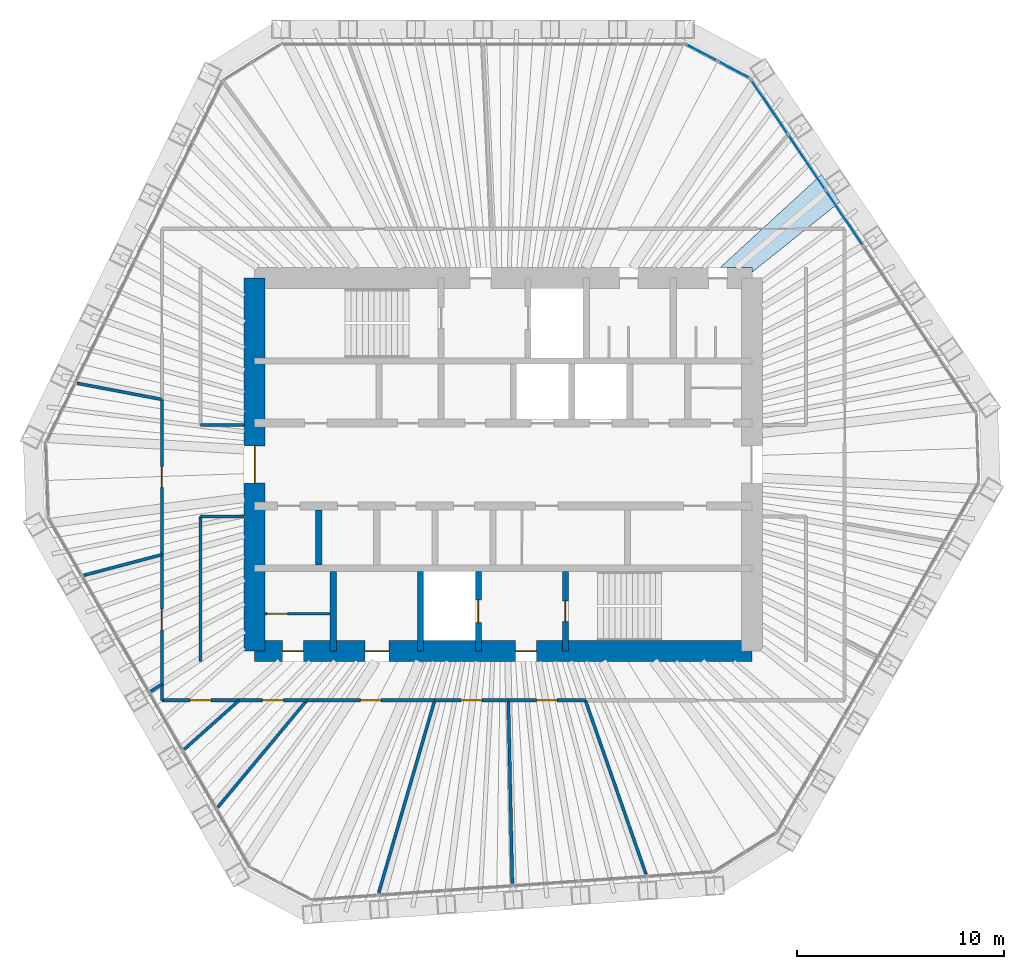
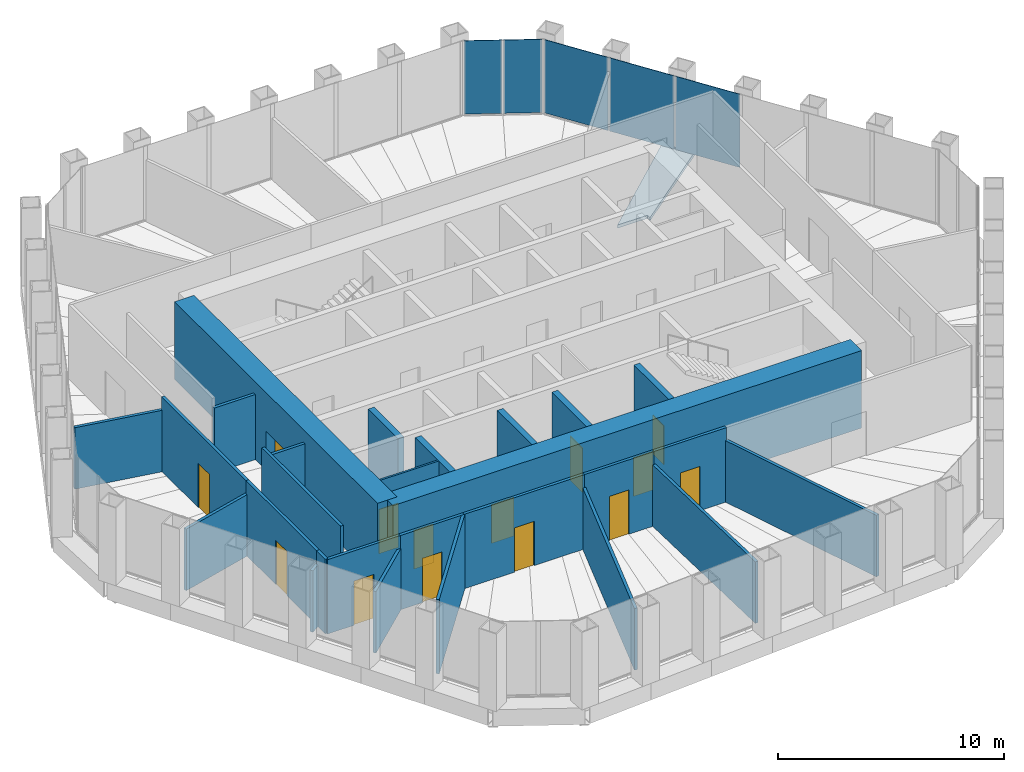
# One storey, part 11 of 14: 27 walls, 14 doors, 5 plates, 1 slab, 14 openings, 2 elements without a shape of their own.
"""IFC4 building model written with IfcOpenShell, lengths in metres."""

from ifc_helpers import new_model, si_unit, direction, frame, frame_2d, origin, origin_2d, place, context, subcontext, project, spatial, polyline, rectangle, outline, extrude, material, layer, layer_set, type_object, element, fill, aggregate, save


model = new_model("IFC4")

# Units and contexts
model_context = context("Model", 3, precision=1e-05, world=origin(), true_north=direction((0.0, 1.0)))
body_context = subcontext(model_context, "Body", "Model", "MODEL_VIEW")
ifc_project = project(units=[si_unit("LENGTHUNIT", "METRE"), si_unit("AREAUNIT", "SQUARE_METRE"), si_unit("VOLUMEUNIT", "CUBIC_METRE"), si_unit("PLANEANGLEUNIT", "RADIAN"), si_unit("MASSUNIT", "GRAM", prefix="KILO")], contexts=[model_context])

# Site, building, storey
site_placement = place(None, origin())
site = spatial("IfcSite", under=ifc_project, at=site_placement, CompositionType="ELEMENT")
building_placement = place(site_placement, origin())
building = spatial("IfcBuilding", under=site, at=building_placement, Name="Qingtian Harvest Tower", CompositionType="ELEMENT")
storey_placement = place(building_placement, frame((0.0, 0.0, 274.60009765625)))
storey = spatial("IfcBuildingStorey", under=building, at=storey_placement, Name="L60", CompositionType="ELEMENT", Elevation=274.60009765625)

# Slab
ifc_material_1 = material(Name="Concrete fc' 35 MPa", Category="concrete")
ifc_layer_1 = layer(ifc_material_1, 0.169921875)
ifc_layer_set_1 = layer_set([ifc_layer_1], Name="Composite floor slab FS17 170")
slab_type = type_object("IfcSlabType", Name="Composite floor slab FS17 170", PredefinedType="FLOOR", material=ifc_layer_set_1)
slab_placement = place(storey_placement, frame((0.0, 0.0, -0.170166015625)))
element("IfcSlab", 1, at=slab_placement, inside=storey, type_object=slab_type, Name="Floor slab L60 panel D48", PredefinedType="FLOOR", context=body_context, shape_type="SweptSolid", body=[
    extrude(outline(polyline([(12.0, 9.5), (10.4599609375, 9.5), (15.35498046875, 13.99365234375), (16.24609375, 12.672607421875), (12.0, 9.2734375), (12.0, 9.5)])), origin(), (0.0, 0.0, 1.0), 0.170166015625),
])

# Curtain wall, plates
ifc_material_2 = material(Name="Bronze-anodised aluminium curtain wall", Category="aluminium")
curtain_wall_type = type_object("IfcCurtainWallType", Name="Curtain wall CW5 upper office", PredefinedType="USERDEFINED", material=ifc_material_2)
curtain_wall_1_placement = place(storey_placement, origin())
curtain_wall_1 = element("IfcCurtainWall", 2, at=curtain_wall_1_placement, inside=storey, type_object=curtain_wall_type, Name="Curtain wall CW5 L60 NC", ObjectType="RECESSED CURTAIN WALL", PredefinedType="USERDEFINED")
ifc_material_3 = material(Name="Bronze-tinted laminated insulating glass", Category="glass")
ifc_layer_2 = layer(ifc_material_3, 0.030029296875)
ifc_layer_set_2 = layer_set([ifc_layer_2], Name="Glazed panel CWP tinted IGU")
plate_type = type_object("IfcPlateType", Name="Glazed panel CWP tinted IGU", PredefinedType="CURTAIN_PANEL", material=ifc_layer_set_2)
plate_1_placement = place(storey_placement, frame((9.57080078125, 19.8720703125, 0.06494140625), z_axis=(0.0, 0.0, 1.0), x_axis=(0.882947592859, -0.469471562786, 0.0)))
plate_1 = element("IfcPlate", 3, at=plate_1_placement, type_object=plate_type, Name="CW5 panel 1.1", PredefinedType="CURTAIN_PANEL", context=body_context, shape_type="SweptSolid", body=[
    extrude(rectangle(XDim=1.69287109375, YDim=0.030029296875, at=origin_2d()), origin(), (0.0, 0.0, 1.0), 3.965087890625),
])
plate_2_placement = place(storey_placement, frame((11.122802734375, 19.046875, 0.06494140625), z_axis=(0.0, 0.0, 1.0), x_axis=(0.882947592859, -0.469471562786, 0.0)))
plate_2 = element("IfcPlate", 4, at=plate_2_placement, type_object=plate_type, Name="CW5 panel 2.1", PredefinedType="CURTAIN_PANEL", context=body_context, shape_type="SweptSolid", body=[
    extrude(rectangle(XDim=1.69287109375, YDim=0.030029296875, at=origin_2d()), origin(), (0.0, 0.0, 1.0), 3.965087890625),
])
aggregate(curtain_wall_1, [plate_1, plate_2])

curtain_wall_2_placement = place(storey_placement, origin())
curtain_wall_2 = element("IfcCurtainWall", 5, at=curtain_wall_2_placement, inside=storey, type_object=curtain_wall_type, Name="Curtain wall CW5 L60 NE0-5", ObjectType="RECESSED CURTAIN WALL", PredefinedType="USERDEFINED")
plate_3_placement = place(storey_placement, frame((12.844970703125, 17.259033203125, 0.06494140625), z_axis=(0.0, 0.0, 1.0), x_axis=(0.559192903471, -0.829037572555, 0.0)))
plate_3 = element("IfcPlate", 6, at=plate_3_placement, type_object=plate_type, Name="CW5 panel 1.1", PredefinedType="CURTAIN_PANEL", context=body_context, shape_type="SweptSolid", body=[
    extrude(rectangle(XDim=3.150634765625, YDim=0.030029296875, at=origin_2d()), origin(), (0.0, 0.0, 1.0), 3.965087890625),
])
plate_4_placement = place(storey_placement, frame((14.652099609375, 14.579833984375, 0.06494140625), z_axis=(0.0, 0.0, 1.0), x_axis=(0.559192903471, -0.829037572555, 0.0)))
plate_4 = element("IfcPlate", 7, at=plate_4_placement, type_object=plate_type, Name="CW5 panel 2.1", PredefinedType="CURTAIN_PANEL", context=body_context, shape_type="SweptSolid", body=[
    extrude(rectangle(XDim=3.18310546875, YDim=0.030029296875, at=origin_2d()), origin(), (0.0, 0.0, 1.0), 3.965087890625),
])
plate_5_placement = place(storey_placement, frame((16.46826171875, 11.886962890625, 0.06494140625), z_axis=(0.0, 0.0, 1.0), x_axis=(0.559192903471, -0.829037572555, 0.0)))
plate_5 = element("IfcPlate", 8, at=plate_5_placement, type_object=plate_type, Name="CW5 panel 3.1", PredefinedType="CURTAIN_PANEL", context=body_context, shape_type="SweptSolid", body=[
    extrude(rectangle(XDim=3.18310546875, YDim=0.030029296875, at=origin_2d()), origin(), (0.0, 0.0, 1.0), 3.965087890625),
])
aggregate(curtain_wall_2, [plate_3, plate_4, plate_5])

# Walls
ifc_material_4 = material(Name="Precast concrete shaft panel", Category="concrete")
ifc_layer_3 = layer(ifc_material_4, 0.300048828125)
ifc_layer_set_3 = layer_set([ifc_layer_3], Name="Core shaft partition SW1 300")
wall_type_1 = type_object("IfcWallType", Name="Core shaft partition SW1 300", PredefinedType="PARTITIONING", material=ifc_layer_set_3)
wall_1_placement = place(storey_placement, frame((-8.89990234375, -4.85009765625, 0.0), z_axis=(0.0, 0.0, 1.0), x_axis=(0.0, 1.0, 0.0)))
element("IfcWall", 9, at=wall_1_placement, inside=storey, type_object=wall_type_1, Name="Core shaft partition XB1 L60", PredefinedType="PARTITIONING", context=body_context, shape_type="SweptSolid", body=[
    extrude(rectangle(XDim=2.650146484375, YDim=0.300048828125, at=frame_2d((1.3251953125, 0.0))), origin(), (0.0, 0.0, 1.0), 3.97998046875),
])
for number, where, z_axis, x_axis, name in (
    (10, (-8.199951171875, -9.0, 0.0), (0.0, 0.0, 1.0), (0.0, 1.0, 0.0), "Core shaft partition XS1 L60"),
    (11, (-4.0, -9.0, 0.0), (0.0, 0.0, 1.0), (0.0, 1.0, 0.0), "Core shaft partition XS2 L60"),
):
    element("IfcWall", number, at=place(storey_placement, frame(where, z_axis=z_axis, x_axis=x_axis)), inside=storey, type_object=wall_type_1, Name=name, PredefinedType="PARTITIONING", context=body_context, shape_type="SweptSolid", body=[
        extrude(rectangle(XDim=3.85009765625, YDim=0.300048828125, at=frame_2d((1.925048828125, 0.0))), origin(), (0.0, 0.0, 1.0), 3.97998046875),
    ])

# Wall, opening, door
wall_2_placement = place(storey_placement, frame((-1.199951171875, -9.0, 0.0), z_axis=(0.0, 0.0, 1.0), x_axis=(0.0, 1.0, 0.0)))
wall_2 = element("IfcWall", 12, at=wall_2_placement, inside=storey, type_object=wall_type_1, Name="Core shaft partition XS3 L60", PredefinedType="PARTITIONING", context=body_context, shape_type="SweptSolid", body=[
    extrude(rectangle(XDim=3.85009765625, YDim=0.300048828125, at=frame_2d((1.925048828125, 0.0))), origin(), (0.0, 0.0, 1.0), 3.97998046875),
])
opening_1_placement = place(wall_2_placement, frame((1.375, 0.0, 0.0)))
opening_1 = element("IfcOpeningElement", 13, at=opening_1_placement, cuts=wall_2, Name="Opening LD1", PredefinedType="OPENING", context=body_context, shape_type="SweptSolid", body=[
    extrude(rectangle(XDim=1.10009765625, YDim=2.39990234375, at=frame_2d((0.550048828125, 1.199951171875))), frame((0.0, 0.159912109375, 0.0), z_axis=(0.0, -1.0, 0.0), x_axis=(1.0, 0.0, 0.0)), (0.0, 0.0, 1.0), 0.320068359375),
])
ifc_material_5 = material(Name="Stainless steel lift landing door", Category="steel")
door_type_1 = type_object("IfcDoorType", Name="Lift landing door LD1 1 HR", OperationType="DOUBLE_DOOR_SLIDING", PredefinedType="DOOR", material=ifc_material_5)
door_1_placement = place(opening_1_placement, origin())
door_1 = element("IfcDoor", 14, at=door_1_placement, inside=storey, type_object=door_type_1, Name="FL2 landing door L60", OperationType="DOUBLE_DOOR_SLIDING", OverallHeight=2.39990234375, OverallWidth=1.10009765625, PredefinedType="DOOR", context=body_context, shape_type="SweptSolid", body=[
    extrude(rectangle(XDim=1.10009765625, YDim=2.39990234375, at=frame_2d((0.550048828125, 1.199951171875))), frame((0.0, 0.02490234375, 0.0), z_axis=(0.0, -1.0, 0.0), x_axis=(1.0, 0.0, 0.0)), (0.0, 0.0, 1.0), 0.050048828125),
])
fill(opening_1, door_1)

wall_3_placement = place(storey_placement, frame((3.0, -9.0, 0.0), z_axis=(0.0, 0.0, 1.0), x_axis=(0.0, 1.0, 0.0)))
wall_3 = element("IfcWall", 15, at=wall_3_placement, inside=storey, type_object=wall_type_1, Name="Core shaft partition XS4 L60", PredefinedType="PARTITIONING", context=body_context, shape_type="SweptSolid", body=[
    extrude(rectangle(XDim=3.85009765625, YDim=0.300048828125, at=frame_2d((1.925048828125, 0.0))), origin(), (0.0, 0.0, 1.0), 3.97998046875),
])
opening_2_placement = place(wall_3_placement, frame((1.425048828125, 0.0, 0.0)))
opening_2 = element("IfcOpeningElement", 16, at=opening_2_placement, cuts=wall_3, Name="Opening FD1", PredefinedType="OPENING", context=body_context, shape_type="SweptSolid", body=[
    extrude(rectangle(XDim=1.0, YDim=2.10009765625, at=frame_2d((0.5, 1.050048828125))), frame((0.0, 0.159912109375, 0.0), z_axis=(0.0, -1.0, 0.0), x_axis=(1.0, 0.0, 0.0)), (0.0, 0.0, 1.0), 0.320068359375),
])
ifc_material_6 = material(Name="Steel-faced door leaf", Category="steel")
door_type_2 = type_object("IfcDoorType", Name="Fire door FD1 single 1 HR", OperationType="SINGLE_SWING_LEFT", PredefinedType="DOOR", material=ifc_material_6)
door_2_placement = place(opening_2_placement, origin())
door_2 = element("IfcDoor", 17, at=door_2_placement, inside=storey, type_object=door_type_2, Name="S2 door L60", OperationType="SINGLE_SWING_RIGHT", OverallHeight=2.10009765625, OverallWidth=1.0, PredefinedType="DOOR", context=body_context, shape_type="SweptSolid", body=[
    extrude(rectangle(XDim=1.0, YDim=2.10009765625, at=frame_2d((0.5, 1.050048828125))), frame((0.0, 0.02490234375, 0.0), z_axis=(0.0, -1.0, 0.0), x_axis=(1.0, 0.0, 0.0)), (0.0, 0.0, 1.0), 0.050048828125),
])
fill(opening_2, door_2)

# Wall, openings, doors
ifc_material_7 = material(Name="Concrete fc' 70 MPa", Category="concrete")
ifc_layer_4 = layer(ifc_material_7, 1.0)
ifc_layer_set_4 = layer_set([ifc_layer_4], Name="Core wall RC3 1000")
wall_type_2 = type_object("IfcWallType", Name="Core wall RC3 1000", PredefinedType="SHEAR", material=ifc_layer_set_4)
wall_4_placement = place(storey_placement, frame((-12.0, -9.0, 0.0), z_axis=(0.0, 0.0, 1.0), x_axis=(1.0, 0.0, 0.0)))
wall_4 = element("IfcWall", 18, at=wall_4_placement, inside=storey, type_object=wall_type_2, Name="Core wall CS L60", PredefinedType="SHEAR", context=body_context, shape_type="SweptSolid", body=[
    extrude(rectangle(XDim=24.0, YDim=1.0, at=frame_2d((12.0, 0.0))), origin(), (0.0, 0.0, 1.0), 4.199951171875),
])
opening_3_placement = place(wall_4_placement, frame((1.35009765625, 0.0, 0.0)))
opening_3 = element("IfcOpeningElement", 19, at=opening_3_placement, cuts=wall_4, Name="Opening FD1", PredefinedType="OPENING", context=body_context, shape_type="SweptSolid", body=[
    extrude(rectangle(XDim=1.0, YDim=2.10009765625, at=frame_2d((0.5, 1.050048828125))), frame((0.0, 0.510009765625, 0.0), z_axis=(0.0, -1.0, 0.0), x_axis=(1.0, 0.0, 0.0)), (0.0, 0.0, 1.0), 1.02001953125),
])
opening_4_placement = place(wall_4_placement, frame((5.324951171875, 0.0, 0.0)))
opening_4 = element("IfcOpeningElement", 20, at=opening_4_placement, cuts=wall_4, Name="Opening AD1", PredefinedType="OPENING", context=body_context, shape_type="SweptSolid", body=[
    extrude(rectangle(XDim=1.14990234375, YDim=2.10009765625, at=frame_2d((0.574951171875, 1.050048828125))), frame((0.0, 0.510009765625, 0.0), z_axis=(0.0, -1.0, 0.0), x_axis=(1.0, 0.0, 0.0)), (0.0, 0.0, 1.0), 1.02001953125),
])
opening_5_placement = place(wall_4_placement, frame((12.60009765625, 0.0, 0.0)))
opening_5 = element("IfcOpeningElement", 21, at=opening_5_placement, cuts=wall_4, Name="Opening FD1", PredefinedType="OPENING", context=body_context, shape_type="SweptSolid", body=[
    extrude(rectangle(XDim=1.0, YDim=2.10009765625, at=frame_2d((0.5, 1.050048828125))), frame((0.0, 0.510009765625, 0.0), z_axis=(0.0, -1.0, 0.0), x_axis=(1.0, 0.0, 0.0)), (0.0, 0.0, 1.0), 1.02001953125),
])
ifc_material_8 = material(Name="Laminated timber door leaf", Category="wood")
door_type_3 = type_object("IfcDoorType", Name="Accessible WC door AD1 single", OperationType="SINGLE_SWING_LEFT", PredefinedType="DOOR", material=ifc_material_8)
door_3_placement = place(opening_4_placement, origin())
door_3 = element("IfcDoor", 22, at=door_3_placement, inside=storey, type_object=door_type_3, Name="AWC door L60", OperationType="SINGLE_SWING_LEFT", OverallHeight=2.10009765625, OverallWidth=1.14990234375, PredefinedType="DOOR", context=body_context, shape_type="SweptSolid", body=[
    extrude(rectangle(XDim=1.14990234375, YDim=2.10009765625, at=frame_2d((0.574951171875, 1.050048828125))), frame((0.0, 0.02490234375, 0.0), z_axis=(0.0, -1.0, 0.0), x_axis=(1.0, 0.0, 0.0)), (0.0, 0.0, 1.0), 0.050048828125),
])
fill(opening_4, door_3)
door_4_placement = place(opening_3_placement, origin())
door_4 = element("IfcDoor", 23, at=door_4_placement, inside=storey, type_object=door_type_2, Name="CLN door L60", OperationType="SINGLE_SWING_RIGHT", OverallHeight=2.10009765625, OverallWidth=1.0, PredefinedType="DOOR", context=body_context, shape_type="SweptSolid", body=[
    extrude(rectangle(XDim=1.0, YDim=2.10009765625, at=frame_2d((0.5, 1.050048828125))), frame((0.0, 0.02490234375, 0.0), z_axis=(0.0, -1.0, 0.0), x_axis=(1.0, 0.0, 0.0)), (0.0, 0.0, 1.0), 0.050048828125),
])
fill(opening_3, door_4)
door_5_placement = place(opening_5_placement, origin())
door_5 = element("IfcDoor", 24, at=door_5_placement, inside=storey, type_object=door_type_2, Name="V2 door L60", OperationType="SINGLE_SWING_RIGHT", OverallHeight=2.10009765625, OverallWidth=1.0, PredefinedType="DOOR", context=body_context, shape_type="SweptSolid", body=[
    extrude(rectangle(XDim=1.0, YDim=2.10009765625, at=frame_2d((0.5, 1.050048828125))), frame((0.0, 0.02490234375, 0.0), z_axis=(0.0, -1.0, 0.0), x_axis=(1.0, 0.0, 0.0)), (0.0, 0.0, 1.0), 0.050048828125),
])
fill(opening_5, door_5)

# Wall, opening, door
wall_5_placement = place(storey_placement, frame((-12.0, -9.0, 0.0), z_axis=(0.0, 0.0, 1.0), x_axis=(0.0, 1.0, 0.0)))
wall_5 = element("IfcWall", 25, at=wall_5_placement, inside=storey, type_object=wall_type_2, Name="Core wall CW L60", PredefinedType="SHEAR", context=body_context, shape_type="SweptSolid", body=[
    extrude(rectangle(XDim=18.0, YDim=1.0, at=frame_2d((9.0, 0.0))), origin(), (0.0, 0.0, 1.0), 4.199951171875),
])
opening_6_placement = place(wall_5_placement, frame((8.10009765625, 0.0, 0.0)))
opening_6 = element("IfcOpeningElement", 26, at=opening_6_placement, cuts=wall_5, Name="Opening FD2", PredefinedType="OPENING", context=body_context, shape_type="SweptSolid", body=[
    extrude(rectangle(XDim=1.800048828125, YDim=2.10009765625, at=frame_2d((0.89990234375, 1.050048828125))), frame((0.0, 0.510009765625, 0.0), z_axis=(0.0, -1.0, 0.0), x_axis=(1.0, 0.0, 0.0)), (0.0, 0.0, 1.0), 1.02001953125),
])
ifc_material_9 = material(Name="Steel-faced door leaf", Category="steel")
door_type_4 = type_object("IfcDoorType", Name="Fire door FD2 double 1 HR", OperationType="DOUBLE_DOOR_DOUBLE_SWING", PredefinedType="DOOR", material=ifc_material_9)
door_6_placement = place(opening_6_placement, origin())
door_6 = element("IfcDoor", 27, at=door_6_placement, inside=storey, type_object=door_type_4, Name="LOBBY-W door L60", OperationType="DOUBLE_DOOR_DOUBLE_SWING", OverallHeight=2.10009765625, OverallWidth=1.800048828125, PredefinedType="DOOR", context=body_context, shape_type="SweptSolid", body=[
    extrude(rectangle(XDim=1.800048828125, YDim=2.10009765625, at=frame_2d((0.89990234375, 1.050048828125))), frame((0.0, 0.02490234375, 0.0), z_axis=(0.0, -1.0, 0.0), x_axis=(1.0, 0.0, 0.0)), (0.0, 0.0, 1.0), 0.050048828125),
])
fill(opening_6, door_6)

# Wall
ifc_material_10 = material(Name="Gypsum board on steel studs", Category="steel")
ifc_layer_5 = layer(ifc_material_10, 0.14990234375)
ifc_layer_set_5 = layer_set([ifc_layer_5], Name="Partition PT1 150")
wall_type_3 = type_object("IfcWallType", Name="Partition PT1 150", PredefinedType="PARTITIONING", material=ifc_layer_set_5)
wall_6_placement = place(storey_placement, frame((-13.779296875, -16.546142578125, 0.0), z_axis=(0.0, 0.0, 1.0), x_axis=(0.63993100432, 0.768432371592, 0.0)))
element("IfcWall", 28, at=wall_6_placement, inside=storey, type_object=wall_type_3, Name="Private office wall L60", PredefinedType="PARTITIONING", context=body_context, shape_type="SweptSolid", body=[
    extrude(rectangle(XDim=6.7294921875, YDim=0.14990234375, at=frame_2d((3.36474609375, 0.0))), origin(), (0.0, 0.0, 1.0), 4.02978515625),
])

# Wall, opening, door
wall_7_placement = place(storey_placement, frame((-9.472900390625, -11.375, 0.0), z_axis=(0.0, 0.0, 1.0), x_axis=(-1.0, 0.0, 0.0)))
wall_7 = element("IfcWall", 29, at=wall_7_placement, inside=storey, type_object=wall_type_3, Name="Private office wall L60", PredefinedType="PARTITIONING", context=body_context, shape_type="SweptSolid", body=[
    extrude(rectangle(XDim=3.26708984375, YDim=0.14990234375, at=frame_2d((1.633544921875, 0.0))), origin(), (0.0, 0.0, 1.0), 4.02978515625),
])
opening_7_placement = place(wall_7_placement, frame((1.133544921875, 0.0, 0.0)))
opening_7 = element("IfcOpeningElement", 30, at=opening_7_placement, cuts=wall_7, Name="Opening D2", PredefinedType="OPENING", context=body_context, shape_type="SweptSolid", body=[
    extrude(rectangle(XDim=1.0, YDim=2.39990234375, at=frame_2d((0.5, 1.199951171875))), frame((0.0, 0.0849609375, 0.0), z_axis=(0.0, -1.0, 0.0), x_axis=(1.0, 0.0, 0.0)), (0.0, 0.0, 1.0), 0.169921875),
])
ifc_material_11 = material(Name="Laminated timber door leaf", Category="wood")
door_type_5 = type_object("IfcDoorType", Name="Room door D2 single", OperationType="SINGLE_SWING_LEFT", PredefinedType="DOOR", material=ifc_material_11)
door_7_placement = place(opening_7_placement, origin())
door_7 = element("IfcDoor", 31, at=door_7_placement, inside=storey, type_object=door_type_5, Name="Private office door L60", OperationType="SINGLE_SWING_LEFT", OverallHeight=2.39990234375, OverallWidth=1.0, PredefinedType="DOOR", context=body_context, shape_type="SweptSolid", body=[
    extrude(rectangle(XDim=1.0, YDim=2.39990234375, at=frame_2d((0.5, 1.199951171875))), frame((0.0, 0.02490234375, 0.0), z_axis=(0.0, -1.0, 0.0), x_axis=(1.0, 0.0, 0.0)), (0.0, 0.0, 1.0), 0.050048828125),
])
fill(opening_7, door_7)

# Wall
wall_8_placement = place(storey_placement, frame((-15.392578125, -13.743408203125, 0.0), z_axis=(0.0, 0.0, 1.0), x_axis=(0.745934007174, 0.666019862273, 0.0)))
element("IfcWall", 32, at=wall_8_placement, inside=storey, type_object=wall_type_3, Name="Private office wall L60", PredefinedType="PARTITIONING", context=body_context, shape_type="SweptSolid", body=[
    extrude(rectangle(XDim=3.55615234375, YDim=0.14990234375, at=frame_2d((1.778076171875, 0.0))), origin(), (0.0, 0.0, 1.0), 3.329833984375),
])

# Wall, opening, door
wall_9_placement = place(storey_placement, frame((-12.739990234375, -11.375, 0.0), z_axis=(0.0, 0.0, 1.0), x_axis=(-1.0, 0.0, 0.0)))
wall_9 = element("IfcWall", 33, at=wall_9_placement, inside=storey, type_object=wall_type_3, Name="Private office wall L60", PredefinedType="PARTITIONING", context=body_context, shape_type="SweptSolid", body=[
    extrude(rectangle(XDim=3.735107421875, YDim=0.14990234375, at=frame_2d((1.86767578125, 0.0))), origin(), (0.0, 0.0, 1.0), 4.02978515625),
])
opening_8_placement = place(wall_9_placement, frame((1.367431640625, 0.0, 0.0)))
opening_8 = element("IfcOpeningElement", 34, at=opening_8_placement, cuts=wall_9, Name="Opening D2", PredefinedType="OPENING", context=body_context, shape_type="SweptSolid", body=[
    extrude(rectangle(XDim=1.0, YDim=2.39990234375, at=frame_2d((0.5, 1.199951171875))), frame((0.0, 0.0849609375, 0.0), z_axis=(0.0, -1.0, 0.0), x_axis=(1.0, 0.0, 0.0)), (0.0, 0.0, 1.0), 0.169921875),
])
door_8_placement = place(opening_8_placement, origin())
door_8 = element("IfcDoor", 35, at=door_8_placement, inside=storey, type_object=door_type_5, Name="Private office door L60", OperationType="SINGLE_SWING_RIGHT", OverallHeight=2.39990234375, OverallWidth=1.0, PredefinedType="DOOR", context=body_context, shape_type="SweptSolid", body=[
    extrude(rectangle(XDim=1.0, YDim=2.39990234375, at=frame_2d((0.5, 1.199951171875))), frame((0.0, 0.02490234375, 0.0), z_axis=(0.0, -1.0, 0.0), x_axis=(1.0, 0.0, 0.0)), (0.0, 0.0, 1.0), 0.050048828125),
])
fill(opening_8, door_8)

# Walls
wall_10_placement = place(storey_placement, frame((-16.47509765625, -11.375, 0.0), z_axis=(0.0, 0.0, 1.0), x_axis=(0.0, 1.0, 0.0)))
element("IfcWall", 36, at=wall_10_placement, inside=storey, type_object=wall_type_3, Name="Private office wall L60", PredefinedType="PARTITIONING", context=body_context, shape_type="SweptSolid", body=[
    extrude(rectangle(XDim=0.7744140625, YDim=0.14990234375, at=frame_2d((0.38720703125, 0.0))), origin(), (0.0, 0.0, 1.0), 4.02978515625),
])
wall_11_placement = place(storey_placement, frame((-17.007080078125, -10.943115234375, 0.0), z_axis=(0.0, 0.0, 1.0), x_axis=(0.840789611822, 0.541362012568, 0.0)))
element("IfcWall", 37, at=wall_11_placement, inside=storey, type_object=wall_type_3, Name="Focus room wall L60", PredefinedType="PARTITIONING", context=body_context, shape_type="SweptSolid", body=[
    extrude(rectangle(XDim=0.6328125, YDim=0.14990234375, at=frame_2d((0.31640625, 0.0))), origin(), (0.0, 0.0, 1.0), 3.329833984375),
])

# Wall, opening, door
wall_12_placement = place(storey_placement, frame((-16.47509765625, -10.6005859375, 0.0), z_axis=(0.0, 0.0, 1.0), x_axis=(0.0, 1.0, 0.0)))
wall_12 = element("IfcWall", 38, at=wall_12_placement, inside=storey, type_object=wall_type_3, Name="Focus room wall L60", PredefinedType="PARTITIONING", context=body_context, shape_type="SweptSolid", body=[
    extrude(rectangle(XDim=6.249755859375, YDim=0.14990234375, at=frame_2d((3.125, 0.0))), origin(), (0.0, 0.0, 1.0), 4.02978515625),
])
opening_9_placement = place(wall_12_placement, frame((2.624755859375, 0.0, 0.0)))
opening_9 = element("IfcOpeningElement", 39, at=opening_9_placement, cuts=wall_12, Name="Opening D2", PredefinedType="OPENING", context=body_context, shape_type="SweptSolid", body=[
    extrude(rectangle(XDim=1.0, YDim=2.39990234375, at=frame_2d((0.5, 1.199951171875))), frame((0.0, 0.0849609375, 0.0), z_axis=(0.0, -1.0, 0.0), x_axis=(1.0, 0.0, 0.0)), (0.0, 0.0, 1.0), 0.169921875),
])
door_9_placement = place(opening_9_placement, origin())
door_9 = element("IfcDoor", 40, at=door_9_placement, inside=storey, type_object=door_type_5, Name="Focus room door L60", OperationType="SINGLE_SWING_RIGHT", OverallHeight=2.39990234375, OverallWidth=1.0, PredefinedType="DOOR", context=body_context, shape_type="SweptSolid", body=[
    extrude(rectangle(XDim=1.0, YDim=2.39990234375, at=frame_2d((0.5, 1.199951171875))), frame((0.0, 0.02490234375, 0.0), z_axis=(0.0, -1.0, 0.0), x_axis=(1.0, 0.0, 0.0)), (0.0, 0.0, 1.0), 0.050048828125),
])
fill(opening_9, door_9)

# Wall
wall_13_placement = place(storey_placement, frame((-20.24267578125, -5.345947265625, 0.0), z_axis=(0.0, 0.0, 1.0), x_axis=(0.966843659694, 0.25536902261, 0.0)))
element("IfcWall", 41, at=wall_13_placement, inside=storey, type_object=wall_type_3, Name="Meeting room wall L60", PredefinedType="PARTITIONING", context=body_context, shape_type="SweptSolid", body=[
    extrude(rectangle(XDim=3.896728515625, YDim=0.14990234375, at=frame_2d((1.9482421875, 0.0))), origin(), (0.0, 0.0, 1.0), 3.329833984375),
])

# Wall, opening, door
wall_14_placement = place(storey_placement, frame((-16.47509765625, -4.350830078125, 0.0), z_axis=(0.0, 0.0, 1.0), x_axis=(0.0, 1.0, 0.0)))
wall_14 = element("IfcWall", 42, at=wall_14_placement, inside=storey, type_object=wall_type_3, Name="Meeting room wall L60", PredefinedType="PARTITIONING", context=body_context, shape_type="SweptSolid", body=[
    extrude(rectangle(XDim=7.49169921875, YDim=0.14990234375, at=frame_2d((3.745849609375, 0.0))), origin(), (0.0, 0.0, 1.0), 4.02978515625),
])
opening_10_placement = place(wall_14_placement, frame((3.245849609375, 0.0, 0.0)))
opening_10 = element("IfcOpeningElement", 43, at=opening_10_placement, cuts=wall_14, Name="Opening D2", PredefinedType="OPENING", context=body_context, shape_type="SweptSolid", body=[
    extrude(rectangle(XDim=1.0, YDim=2.39990234375, at=frame_2d((0.5, 1.199951171875))), frame((0.0, 0.0849609375, 0.0), z_axis=(0.0, -1.0, 0.0), x_axis=(1.0, 0.0, 0.0)), (0.0, 0.0, 1.0), 0.169921875),
])
door_10_placement = place(opening_10_placement, origin())
door_10 = element("IfcDoor", 44, at=door_10_placement, inside=storey, type_object=door_type_5, Name="Meeting room door L60", OperationType="SINGLE_SWING_RIGHT", OverallHeight=2.39990234375, OverallWidth=1.0, PredefinedType="DOOR", context=body_context, shape_type="SweptSolid", body=[
    extrude(rectangle(XDim=1.0, YDim=2.39990234375, at=frame_2d((0.5, 1.199951171875))), frame((0.0, 0.02490234375, 0.0), z_axis=(0.0, -1.0, 0.0), x_axis=(1.0, 0.0, 0.0)), (0.0, 0.0, 1.0), 0.050048828125),
])
fill(opening_10, door_10)

# Walls
wall_15_placement = place(storey_placement, frame((-20.566162109375, 3.9208984375, 0.0), z_axis=(0.0, 0.0, 1.0), x_axis=(0.982304172816, -0.187292584123, 0.0)))
element("IfcWall", 45, at=wall_15_placement, inside=storey, type_object=wall_type_3, Name="Workplace zone wall L60", PredefinedType="PARTITIONING", context=body_context, shape_type="SweptSolid", body=[
    extrude(rectangle(XDim=4.164794921875, YDim=0.14990234375, at=frame_2d((2.08251953125, 0.0))), origin(), (0.0, 0.0, 1.0), 3.329833984375),
])
wall_16_placement = place(storey_placement, frame((6.8876953125, -19.771240234375, 0.0), z_axis=(0.0, 0.0, 1.0), x_axis=(-0.328983865825, 0.944335542075, 0.0)))
element("IfcWall", 46, at=wall_16_placement, inside=storey, type_object=wall_type_3, Name="Print room wall L60", PredefinedType="PARTITIONING", context=body_context, shape_type="SweptSolid", body=[
    extrude(rectangle(XDim=8.89111328125, YDim=0.14990234375, at=frame_2d((4.445556640625, 0.0))), origin(), (0.0, 0.0, 1.0), 3.329833984375),
])

# Wall, opening, door
wall_17_placement = place(storey_placement, frame((3.962646484375, -11.375, 0.0), z_axis=(0.0, 0.0, 1.0), x_axis=(-1.0, 0.0, 0.0)))
wall_17 = element("IfcWall", 47, at=wall_17_placement, inside=storey, type_object=wall_type_3, Name="Print room wall L60", PredefinedType="PARTITIONING", context=body_context, shape_type="SweptSolid", body=[
    extrude(rectangle(XDim=3.716064453125, YDim=0.14990234375, at=frame_2d((1.85791015625, 0.0))), origin(), (0.0, 0.0, 1.0), 4.02978515625),
])
opening_11_placement = place(wall_17_placement, frame((1.358154296875, 0.0, 0.0)))
opening_11 = element("IfcOpeningElement", 48, at=opening_11_placement, cuts=wall_17, Name="Opening D2", PredefinedType="OPENING", context=body_context, shape_type="SweptSolid", body=[
    extrude(rectangle(XDim=1.0, YDim=2.39990234375, at=frame_2d((0.5, 1.199951171875))), frame((0.0, 0.0849609375, 0.0), z_axis=(0.0, -1.0, 0.0), x_axis=(1.0, 0.0, 0.0)), (0.0, 0.0, 1.0), 0.169921875),
])
door_11_placement = place(opening_11_placement, origin())
door_11 = element("IfcDoor", 49, at=door_11_placement, inside=storey, type_object=door_type_5, Name="Print room door L60", OperationType="SINGLE_SWING_RIGHT", OverallHeight=2.39990234375, OverallWidth=1.0, PredefinedType="DOOR", context=body_context, shape_type="SweptSolid", body=[
    extrude(rectangle(XDim=1.0, YDim=2.39990234375, at=frame_2d((0.5, 1.199951171875))), frame((0.0, 0.02490234375, 0.0), z_axis=(0.0, -1.0, 0.0), x_axis=(1.0, 0.0, 0.0)), (0.0, 0.0, 1.0), 0.050048828125),
])
fill(opening_11, door_11)

# Wall
wall_18_placement = place(storey_placement, frame((0.43798828125, -20.21875, 0.0), z_axis=(0.0, 0.0, 1.0), x_axis=(-0.021638042243, 0.999765870156, 0.0)))
element("IfcWall", 50, at=wall_18_placement, inside=storey, type_object=wall_type_3, Name="Meeting room wall L60", PredefinedType="PARTITIONING", context=body_context, shape_type="SweptSolid", body=[
    extrude(rectangle(XDim=8.845703125, YDim=0.14990234375, at=frame_2d((4.4228515625, 0.0))), origin(), (0.0, 0.0, 1.0), 3.329833984375),
])

# Wall, opening, door
wall_19_placement = place(storey_placement, frame((0.24658203125, -11.375, 0.0), z_axis=(0.0, 0.0, 1.0), x_axis=(-1.0, 0.0, 0.0)))
wall_19 = element("IfcWall", 51, at=wall_19_placement, inside=storey, type_object=wall_type_3, Name="Meeting room wall L60", PredefinedType="PARTITIONING", context=body_context, shape_type="SweptSolid", body=[
    extrude(rectangle(XDim=3.55419921875, YDim=0.14990234375, at=frame_2d((1.777099609375, 0.0))), origin(), (0.0, 0.0, 1.0), 4.02978515625),
])
opening_12_placement = place(wall_19_placement, frame((1.277099609375, 0.0, 0.0)))
opening_12 = element("IfcOpeningElement", 52, at=opening_12_placement, cuts=wall_19, Name="Opening D2", PredefinedType="OPENING", context=body_context, shape_type="SweptSolid", body=[
    extrude(rectangle(XDim=1.0, YDim=2.39990234375, at=frame_2d((0.5, 1.199951171875))), frame((0.0, 0.0849609375, 0.0), z_axis=(0.0, -1.0, 0.0), x_axis=(1.0, 0.0, 0.0)), (0.0, 0.0, 1.0), 0.169921875),
])
door_12_placement = place(opening_12_placement, origin())
door_12 = element("IfcDoor", 53, at=door_12_placement, inside=storey, type_object=door_type_5, Name="Meeting room door L60", OperationType="SINGLE_SWING_RIGHT", OverallHeight=2.39990234375, OverallWidth=1.0, PredefinedType="DOOR", context=body_context, shape_type="SweptSolid", body=[
    extrude(rectangle(XDim=1.0, YDim=2.39990234375, at=frame_2d((0.5, 1.199951171875))), frame((0.0, 0.02490234375, 0.0), z_axis=(0.0, -1.0, 0.0), x_axis=(1.0, 0.0, 0.0)), (0.0, 0.0, 1.0), 0.050048828125),
])
fill(opening_12, door_12)

# Wall
wall_20_placement = place(storey_placement, frame((-6.011962890625, -20.67578125, 0.0), z_axis=(0.0, 0.0, 1.0), x_axis=(0.279202358069, 0.960232286089, 0.0)))
element("IfcWall", 54, at=wall_20_placement, inside=storey, type_object=wall_type_3, Name="Workplace zone wall L60", PredefinedType="PARTITIONING", context=body_context, shape_type="SweptSolid", body=[
    extrude(rectangle(XDim=9.68603515625, YDim=0.14990234375, at=frame_2d((4.843017578125, 0.0))), origin(), (0.0, 0.0, 1.0), 3.329833984375),
])

# Wall, opening, door
wall_21_placement = place(storey_placement, frame((-3.3076171875, -11.375, 0.0), z_axis=(0.0, 0.0, 1.0), x_axis=(-1.0, 0.0, 0.0)))
wall_21 = element("IfcWall", 55, at=wall_21_placement, inside=storey, type_object=wall_type_3, Name="Workplace zone wall L60", PredefinedType="PARTITIONING", context=body_context, shape_type="SweptSolid", body=[
    extrude(rectangle(XDim=6.165283203125, YDim=0.14990234375, at=frame_2d((3.08251953125, 0.0))), origin(), (0.0, 0.0, 1.0), 4.02978515625),
])
opening_13_placement = place(wall_21_placement, frame((2.582763671875, 0.0, 0.0)))
opening_13 = element("IfcOpeningElement", 56, at=opening_13_placement, cuts=wall_21, Name="Opening D2", PredefinedType="OPENING", context=body_context, shape_type="SweptSolid", body=[
    extrude(rectangle(XDim=1.0, YDim=2.39990234375, at=frame_2d((0.5, 1.199951171875))), frame((0.0, 0.0849609375, 0.0), z_axis=(0.0, -1.0, 0.0), x_axis=(1.0, 0.0, 0.0)), (0.0, 0.0, 1.0), 0.169921875),
])
door_13_placement = place(opening_13_placement, origin())
door_13 = element("IfcDoor", 57, at=door_13_placement, inside=storey, type_object=door_type_5, Name="Workplace zone door L60", OperationType="SINGLE_SWING_RIGHT", OverallHeight=2.39990234375, OverallWidth=1.0, PredefinedType="DOOR", context=body_context, shape_type="SweptSolid", body=[
    extrude(rectangle(XDim=1.0, YDim=2.39990234375, at=frame_2d((0.5, 1.199951171875))), frame((0.0, 0.02490234375, 0.0), z_axis=(0.0, -1.0, 0.0), x_axis=(1.0, 0.0, 0.0)), (0.0, 0.0, 1.0), 0.050048828125),
])
fill(opening_13, door_13)

# Walls
wall_22_placement = place(storey_placement, frame((-12.5, 1.89990234375, 0.0), z_axis=(0.0, 0.0, 1.0), x_axis=(-1.0, 0.0, 0.0)))
element("IfcWall", 58, at=wall_22_placement, inside=storey, type_object=wall_type_3, Name="Breakout space wall L60", PredefinedType="PARTITIONING", context=body_context, shape_type="SweptSolid", body=[
    extrude(rectangle(XDim=2.10009765625, YDim=0.14990234375, at=frame_2d((1.050048828125, 0.0))), origin(), (0.0, 0.0, 1.0), 3.52978515625),
])
wall_23_placement = place(storey_placement, frame((-14.60009765625, -9.5, 0.0), z_axis=(0.0, 0.0, 1.0), x_axis=(0.0, 1.0, 0.0)))
element("IfcWall", 59, at=wall_23_placement, inside=storey, type_object=wall_type_3, Name="Reading area wall L60", PredefinedType="PARTITIONING", context=body_context, shape_type="SweptSolid", body=[
    extrude(rectangle(XDim=7.0, YDim=0.14990234375, at=frame_2d((3.5, 0.0))), origin(), (0.0, 0.0, 1.0), 4.02978515625),
])
wall_24_placement = place(storey_placement, frame((-12.5, -2.5, 0.0), z_axis=(0.0, 0.0, 1.0), x_axis=(-1.0, 0.0, 0.0)))
element("IfcWall", 60, at=wall_24_placement, inside=storey, type_object=wall_type_3, Name="Reading area wall L60", PredefinedType="PARTITIONING", context=body_context, shape_type="SweptSolid", body=[
    extrude(rectangle(XDim=2.10009765625, YDim=0.14990234375, at=frame_2d((1.050048828125, 0.0))), origin(), (0.0, 0.0, 1.0), 3.52978515625),
])

# Wall, opening, door
ifc_material_12 = material(Name="Concrete block partition", Category="concrete")
ifc_layer_6 = layer(ifc_material_12, 0.10009765625)
ifc_layer_set_6 = layer_set([ifc_layer_6], Name="Store partition PT3 100")
wall_type_4 = type_object("IfcWallType", Name="Store partition PT3 100", PredefinedType="PARTITIONING", material=ifc_layer_set_6)
wall_25_placement = place(storey_placement, frame((-11.5, -7.199951171875, 0.0), z_axis=(0.0, 0.0, 1.0), x_axis=(1.0, 0.0, 0.0)))
wall_25 = element("IfcWall", 61, at=wall_25_placement, inside=storey, type_object=wall_type_4, Name="Waste store wall L60", PredefinedType="PARTITIONING", context=body_context, shape_type="SweptSolid", body=[
    extrude(rectangle(XDim=3.14990234375, YDim=0.10009765625, at=frame_2d((1.574951171875, 0.0))), origin(), (0.0, 0.0, 1.0), 3.97998046875),
])
opening_14_placement = place(wall_25_placement, frame((0.10009765625, 0.0, 0.0)))
opening_14 = element("IfcOpeningElement", 62, at=opening_14_placement, cuts=wall_25, Name="Opening D2", PredefinedType="OPENING", context=body_context, shape_type="SweptSolid", body=[
    extrude(rectangle(XDim=1.0, YDim=2.39990234375, at=frame_2d((0.5, 1.199951171875))), frame((0.0, 0.06005859375, 0.0), z_axis=(0.0, -1.0, 0.0), x_axis=(1.0, 0.0, 0.0)), (0.0, 0.0, 1.0), 0.1201171875),
])
door_14_placement = place(opening_14_placement, origin())
door_14 = element("IfcDoor", 63, at=door_14_placement, inside=storey, type_object=door_type_5, Name="Waste store door L60", OperationType="SINGLE_SWING_RIGHT", OverallHeight=2.39990234375, OverallWidth=1.0, PredefinedType="DOOR", context=body_context, shape_type="SweptSolid", body=[
    extrude(rectangle(XDim=1.0, YDim=2.39990234375, at=frame_2d((0.5, 1.199951171875))), frame((0.0, 0.02490234375, 0.0), z_axis=(0.0, -1.0, 0.0), x_axis=(1.0, 0.0, 0.0)), (0.0, 0.0, 1.0), 0.050048828125),
])
fill(opening_14, door_14)

save(model, "model.ifc")
